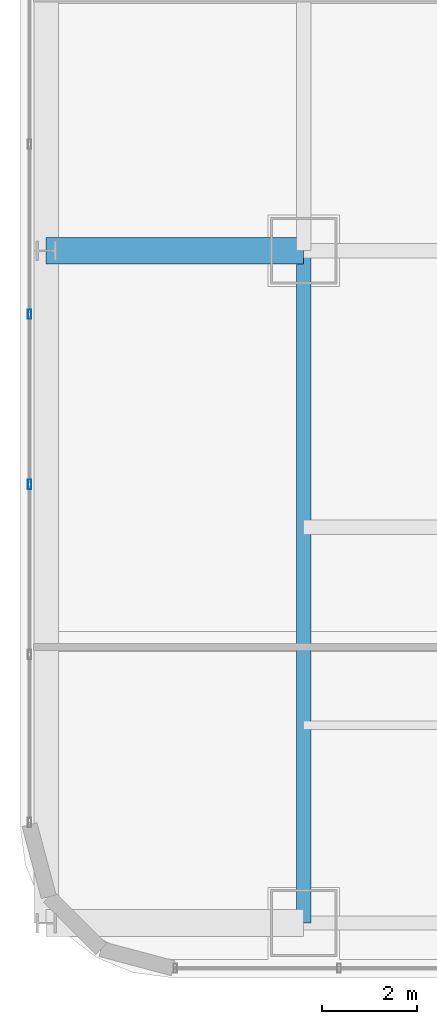
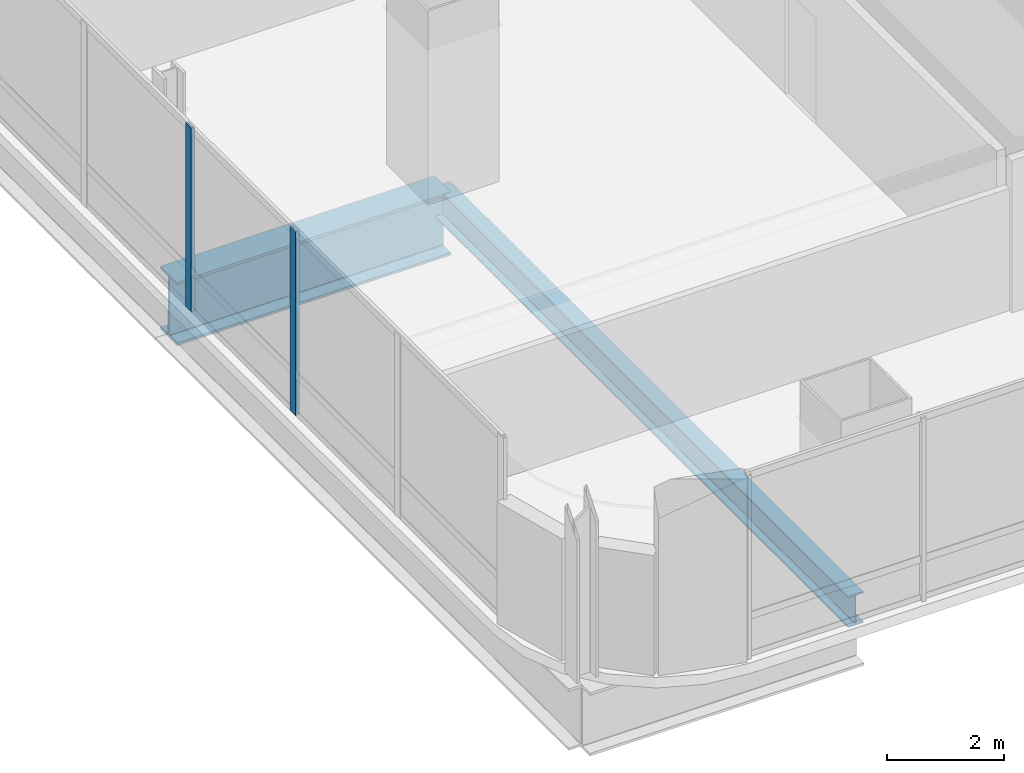
# One storey, part 6 of 38: 2 beams, 2 members, 1 element without a shape of its own.
"""IFC4 building model written with IfcOpenShell, lengths in metres."""

from ifc_helpers import new_model, si_unit, direction, frame, origin, origin_2d, place, context, subcontext, project, spatial, hollow_rectangle, i_section, extrude, material, material_profile, profile_set, type_object, element, aggregate, save


model = new_model("IFC4")

# Units and contexts
model_context = context("Model", 3, precision=1e-05, world=origin(), true_north=direction((0.0, 1.0)))
body_context = subcontext(model_context, "Body", "Model", "MODEL_VIEW")
ifc_project = project(units=[si_unit("LENGTHUNIT", "METRE"), si_unit("AREAUNIT", "SQUARE_METRE"), si_unit("VOLUMEUNIT", "CUBIC_METRE"), si_unit("PLANEANGLEUNIT", "RADIAN"), si_unit("MASSUNIT", "GRAM", prefix="KILO")], contexts=[model_context])

# Site, building, storey
site_placement = place(None, origin())
site = spatial("IfcSite", under=ifc_project, at=site_placement, CompositionType="ELEMENT")
building_placement = place(site_placement, origin())
building = spatial("IfcBuilding", under=site, at=building_placement, Name="Punatoya Terracotta Tower", CompositionType="ELEMENT")
storey_placement = place(building_placement, frame((0.0, 0.0, 156.0)))
storey = spatial("IfcBuildingStorey", under=building, at=storey_placement, Name="L36", CompositionType="ELEMENT", Elevation=156.0)

# Beams
ifc_material_1 = material(Name="Steel S355", Category="steel")
ifc_material_profile_1 = material_profile(ifc_material_1, i_section(OverallWidth=0.300048828125, OverallDepth=0.64990234375, WebThickness=0.01611328125, FlangeThickness=0.031005859375, FilletRadius=0.01806640625, at=origin_2d()))
ifc_profile_set_1 = profile_set([ifc_material_profile_1], Name="Steel S355")
beam_type_1 = type_object("IfcBeamType", Name="BM-PRI-650", PredefinedType="BEAM", material=ifc_profile_set_1)
beam_1_placement = place(storey_placement, frame((-19.10009765625, -17.5, -0.544921875), z_axis=(0.0, 1.0, 0.0), x_axis=(-1.0, 0.0, 0.0)))
element("IfcBeam", 1, at=beam_1_placement, inside=storey, type_object=beam_type_1, Name="BM-L36-RG-W1", PredefinedType="BEAM", context=body_context, shape_type="SweptSolid", body=[
    extrude(i_section(OverallWidth=0.300048828125, OverallDepth=0.64990234375, WebThickness=0.01611328125, FlangeThickness=0.031005859375, FilletRadius=0.01806640625, at=origin_2d()), origin(), (0.0, 0.0, 1.0), 14.10009765625),
])
ifc_material_2 = material(Name="Steel S460", Category="steel")
ifc_material_profile_2 = material_profile(ifc_material_2, i_section(OverallWidth=0.56005859375, OverallDepth=1.320068359375, WebThickness=0.035888671875, FlangeThickness=0.054931640625, FilletRadius=0.01806640625, at=origin_2d()))
ifc_profile_set_2 = profile_set([ifc_material_profile_2], Name="Steel S460")
beam_type_2 = type_object("IfcBeamType", Name="BM-TG-BLK", PredefinedType="BEAM", material=ifc_profile_set_2)
beam_2_placement = place(storey_placement, frame((-24.5, -3.39990234375, -0.8798828125), z_axis=(1.0, 0.0, 0.0), x_axis=(0.0, 1.0, 0.0)))
element("IfcBeam", 2, at=beam_2_placement, inside=storey, type_object=beam_type_2, Name="BM-L36-CANT-W2", PredefinedType="BEAM", context=body_context, shape_type="SweptSolid", body=[
    extrude(i_section(OverallWidth=0.56005859375, OverallDepth=1.320068359375, WebThickness=0.035888671875, FlangeThickness=0.054931640625, FilletRadius=0.01806640625, at=origin_2d()), origin(), (0.0, 0.0, 1.0), 5.39990234375),
])

# Curtain wall, members
ifc_material_3 = material(Name="Aluminium 6063-T6 + Double Low-E Glass", Category="aluminium")
curtain_wall_type = type_object("IfcCurtainWallType", Name="CW-M2", PredefinedType="NOTDEFINED", material=ifc_material_3)
curtain_wall_placement = place(storey_placement, origin())
curtain_wall = element("IfcCurtainWall", 3, at=curtain_wall_placement, inside=storey, type_object=curtain_wall_type, Name="L36 Curtain Wall CW-L36-W13-1", PredefinedType="NOTDEFINED")
ifc_material_4 = material(Name="Aluminium 6063-T6", Category="aluminium")
ifc_material_profile_3 = material_profile(ifc_material_4, hollow_rectangle(XDim=0.072021484375, YDim=0.195068359375, WallThickness=0.00439453125, at=origin_2d()))
ifc_profile_set_3 = profile_set([ifc_material_profile_3], Name="Aluminium 6063-T6")
member_type = type_object("IfcMemberType", Name="CW-MUL-M2", PredefinedType="MULLION", material=ifc_profile_set_3)
member_1_placement = place(storey_placement, frame((-24.85009765625, -4.73486328125, 0.0), z_axis=(0.0, 0.0, 1.0), x_axis=(1.0, 0.0, 0.0)))
member_1 = element("IfcMember", 4, at=member_1_placement, type_object=member_type, Name="CW-L36-W13-1 Mullion 07", PredefinedType="MULLION", context=body_context, shape_type="SweptSolid", body=[
    extrude(hollow_rectangle(XDim=0.072021484375, YDim=0.195068359375, WallThickness=0.00439453125, at=origin_2d()), origin(), (0.0, 0.0, 1.0), 3.830078125),
])
member_2_placement = place(storey_placement, frame((-24.85009765625, -8.302001953125, 0.0), z_axis=(0.0, 0.0, 1.0), x_axis=(1.0, 0.0, 0.0)))
member_2 = element("IfcMember", 5, at=member_2_placement, type_object=member_type, Name="CW-L36-W13-1 Mullion 08", PredefinedType="MULLION", context=body_context, shape_type="SweptSolid", body=[
    extrude(hollow_rectangle(XDim=0.072021484375, YDim=0.195068359375, WallThickness=0.00439453125, at=origin_2d()), origin(), (0.0, 0.0, 1.0), 3.830078125),
])
aggregate(curtain_wall, [member_1, member_2])

save(model, "model.ifc")
